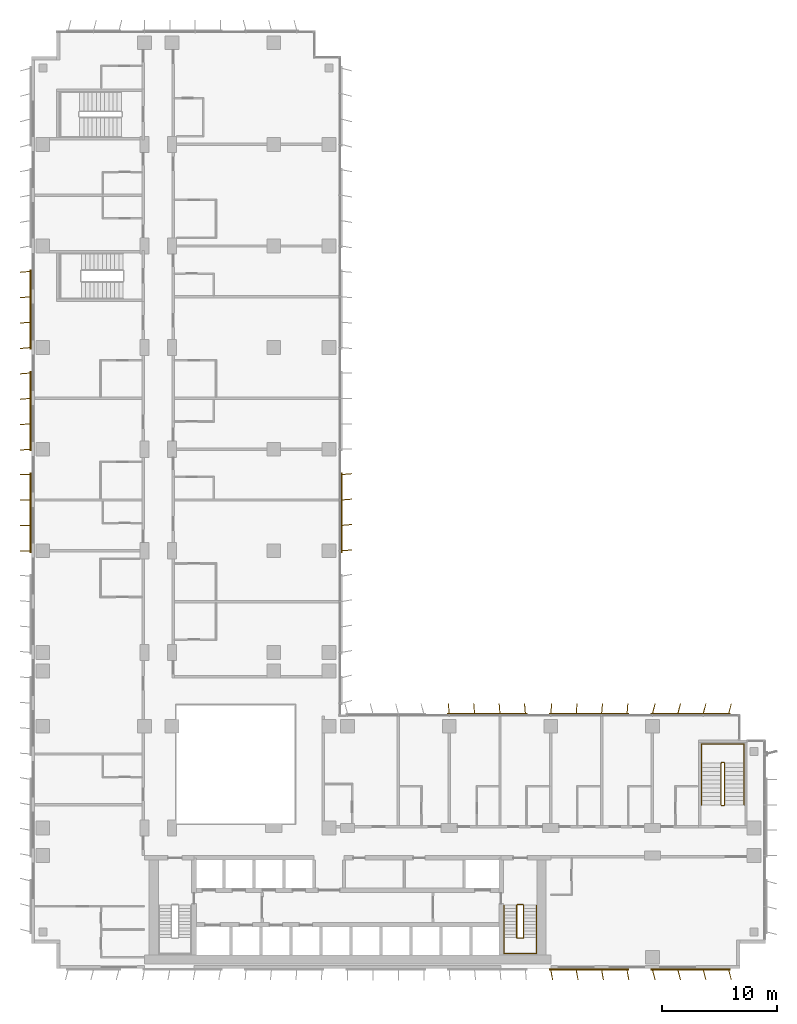
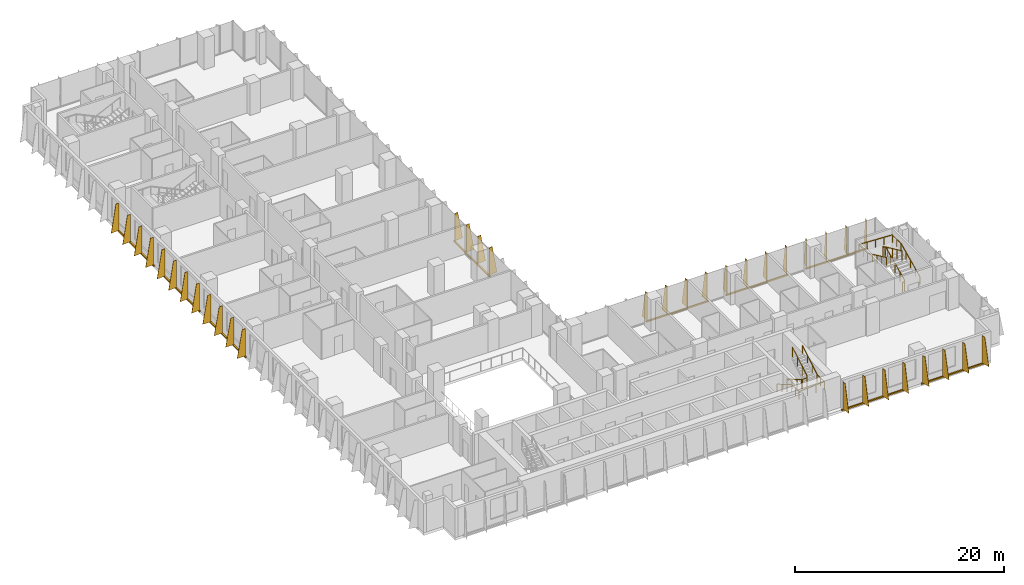
# One storey, part 20 of 22: 9 shading devices, 4 railings.
"""IFC4 building model written with IfcOpenShell, lengths in metres."""

from ifc_helpers import new_model, si_unit, direction, frame, origin, origin_2d, place, context, subcontext, project, spatial, polyline, rectangle, circle, outline, extrude, source, transform, mapped, material, layer, layer_set, type_object, element, save


model = new_model("IFC4")

# Units and contexts
model_context = context("Model", 3, precision=1e-05, world=origin(), true_north=direction((0.0, 1.0)))
body_context = subcontext(model_context, "Body", "Model", "MODEL_VIEW")
ifc_project = project(units=[si_unit("LENGTHUNIT", "METRE"), si_unit("AREAUNIT", "SQUARE_METRE"), si_unit("VOLUMEUNIT", "CUBIC_METRE"), si_unit("PLANEANGLEUNIT", "RADIAN"), si_unit("MASSUNIT", "GRAM", prefix="KILO")], contexts=[model_context])

# Site, building, storey
site_placement = place(None, origin())
site = spatial("IfcSite", under=ifc_project, at=site_placement, CompositionType="ELEMENT")
building_placement = place(site_placement, origin())
building = spatial("IfcBuilding", under=site, at=building_placement, Name="Kemantara Hotel Tower", CompositionType="ELEMENT")
storey_placement = place(building_placement, frame((0.0, 0.0, 107.39990234375)))
storey = spatial("IfcBuildingStorey", under=building, at=storey_placement, Name="L25", CompositionType="ELEMENT", Elevation=107.39990234375)

# Railings
ifc_material_1 = material(Name="Stainless steel balustrade", Category="steel")
railing_type_1 = type_object("IfcRailingType", Name="Stair guard 1100 mm", PredefinedType="GUARDRAIL", material=ifc_material_1)
railing_1_placement = place(storey_placement, frame((42.64990234375, 5.5, 3.7001953125)))
element("IfcRailing", 1, at=railing_1_placement, inside=storey, type_object=railing_type_1, Name="L25 ST2 stair guard 1", PredefinedType="GUARDRAIL", context=body_context, shape_type="SweptSolid", body=[
    extrude(circle(Radius=0.02392578125, at=origin_2d()), frame((0.0, 0.0, 1.076171875), z_axis=(0.0, -0.857242210791, -0.514913383045), x_axis=(1.0, 0.0, 0.0)), (0.0, 0.0, 1.0), 3.266357421875),
    extrude(circle(Radius=0.02392578125, at=origin_2d()), frame((0.0, -2.800048828125, -0.60595703125), z_axis=(-0.273006030465, -0.27434429532, -0.922064485248), x_axis=(0.708833529934, -0.705375805398, 0.0)), (0.0, 0.0, 1.0), 0.182373046875),
    extrude(circle(Radius=0.02392578125, at=origin_2d()), frame((-0.0498046875, -2.85009765625, -0.77392578125), z_axis=(-1.0, 0.0, 0.0), x_axis=(0.0, -1.0, 0.0)), (0.0, 0.0, 1.0), 0.5),
    extrude(circle(Radius=0.02392578125, at=origin_2d()), frame((-0.5498046875, -2.85009765625, -0.77392578125), z_axis=(-0.707106781187, 0.707106781187, 0.0), x_axis=(-0.707106781187, -0.707106781187, 0.0)), (0.0, 0.0, 1.0), 0.07080078125),
    extrude(circle(Radius=0.02392578125, at=origin_2d()), frame((-0.599853515625, -2.800048828125, -0.77392578125), z_axis=(0.0, 0.857242210791, -0.514913383045), x_axis=(-1.0, 0.0, 0.0)), (0.0, 0.0, 1.0), 3.266357421875),
    extrude(circle(Radius=0.02392578125, at=origin_2d()), frame((-0.599853515625, 0.0, -2.4560546875), z_axis=(0.274243871929, 0.274243871929, -0.92172696468), x_axis=(-0.707106781187, 0.707106781187, 0.0)), (0.0, 0.0, 1.0), 0.1826171875),
    extrude(circle(Radius=0.02392578125, at=origin_2d()), frame((-0.5498046875, 0.050048828125, -2.6240234375), z_axis=(1.0, 0.0, 0.0), x_axis=(0.0, 1.0, 0.0)), (0.0, 0.0, 1.0), 0.5),
    extrude(circle(Radius=0.02099609375, at=origin_2d()), origin(), (0.0, 0.0, 1.0), 1.052001953125),
    extrude(circle(Radius=0.02099609375, at=origin_2d()), frame((0.0, -0.933349609375, -0.560546875)), (0.0, 0.0, 1.0), 1.052001953125),
    extrude(circle(Radius=0.02099609375, at=origin_2d()), frame((0.0, -1.86669921875, -1.121337890625)), (0.0, 0.0, 1.0), 1.052001953125),
    extrude(circle(Radius=0.02099609375, at=origin_2d()), frame((0.0, -2.800048828125, -1.681884765625)), (0.0, 0.0, 1.0), 1.052001953125),
    extrude(circle(Radius=0.02099609375, at=origin_2d()), frame((-0.0498046875, -2.85009765625, -1.85009765625)), (0.0, 0.0, 1.0), 1.052001953125),
    extrude(circle(Radius=0.02099609375, at=origin_2d()), frame((-0.5498046875, -2.85009765625, -1.85009765625)), (0.0, 0.0, 1.0), 1.052001953125),
    extrude(circle(Radius=0.02099609375, at=origin_2d()), frame((-0.599853515625, -2.800048828125, -1.85009765625)), (0.0, 0.0, 1.0), 1.052001953125),
    extrude(circle(Radius=0.02099609375, at=origin_2d()), frame((-0.599853515625, -1.86669921875, -2.41064453125)), (0.0, 0.0, 1.0), 1.052001953125),
    extrude(circle(Radius=0.02099609375, at=origin_2d()), frame((-0.599853515625, -0.933349609375, -2.971435546875)), (0.0, 0.0, 1.0), 1.052001953125),
    extrude(circle(Radius=0.02099609375, at=origin_2d()), frame((-0.599853515625, 0.0, -3.531982421875)), (0.0, 0.0, 1.0), 1.052001953125),
    extrude(circle(Radius=0.02099609375, at=origin_2d()), frame((-0.5498046875, 0.050048828125, -3.7001953125)), (0.0, 0.0, 1.0), 1.052001953125),
    extrude(circle(Radius=0.02099609375, at=origin_2d()), frame((-0.0498046875, 0.050048828125, -3.7001953125)), (0.0, 0.0, 1.0), 1.052001953125),
])
railing_2_placement = place(storey_placement, frame((59.75, 14.199951171875, 3.7001953125)))
element("IfcRailing", 2, at=railing_2_placement, inside=storey, type_object=railing_type_1, Name="L25 ST3 stair guard 1", PredefinedType="GUARDRAIL", context=body_context, shape_type="SweptSolid", body=[
    extrude(circle(Radius=0.02392578125, at=origin_2d()), frame((0.0, 0.0, 1.076171875), z_axis=(0.0, 0.906005689286, -0.423265508849), x_axis=(-1.0, 0.0, 0.0)), (0.0, 0.0, 1.0), 3.9736328125),
    extrude(circle(Radius=0.02392578125, at=origin_2d()), frame((0.0, 3.60009765625, -0.60595703125), z_axis=(0.274243871929, 0.274243871929, -0.92172696468), x_axis=(-0.707106781187, 0.707106781187, 0.0)), (0.0, 0.0, 1.0), 0.1826171875),
    extrude(circle(Radius=0.02392578125, at=origin_2d()), frame((0.050048828125, 3.650146484375, -0.77392578125), z_axis=(1.0, 0.0, 0.0), x_axis=(0.0, 1.0, 0.0)), (0.0, 0.0, 1.0), 0.199951171875),
    extrude(circle(Radius=0.02392578125, at=origin_2d()), frame((0.25, 3.650146484375, -0.77392578125), z_axis=(0.707106781187, -0.707106781187, 0.0), x_axis=(0.707106781187, 0.707106781187, 0.0)), (0.0, 0.0, 1.0), 0.07080078125),
    extrude(circle(Radius=0.02392578125, at=origin_2d()), frame((0.300048828125, 3.60009765625, -0.77392578125), z_axis=(0.0, -0.906005689286, -0.423265508849), x_axis=(1.0, 0.0, 0.0)), (0.0, 0.0, 1.0), 3.9736328125),
    extrude(circle(Radius=0.02392578125, at=origin_2d()), frame((0.300048828125, 0.0, -2.4560546875), z_axis=(-0.274243871929, -0.274243871929, -0.92172696468), x_axis=(0.707106781187, -0.707106781187, 0.0)), (0.0, 0.0, 1.0), 0.1826171875),
    extrude(circle(Radius=0.02392578125, at=origin_2d()), frame((0.25, -0.050048828125, -2.6240234375), z_axis=(-1.0, 0.0, 0.0), x_axis=(0.0, -1.0, 0.0)), (0.0, 0.0, 1.0), 0.199951171875),
    extrude(circle(Radius=0.02099609375, at=origin_2d()), origin(), (0.0, 0.0, 1.0), 1.052001953125),
    extrude(circle(Radius=0.02099609375, at=origin_2d()), frame((0.0, 0.89990234375, -0.42041015625)), (0.0, 0.0, 1.0), 1.052001953125),
    extrude(circle(Radius=0.02099609375, at=origin_2d()), frame((0.0, 1.800048828125, -0.8408203125)), (0.0, 0.0, 1.0), 1.052001953125),
    extrude(circle(Radius=0.02099609375, at=origin_2d()), frame((0.0, 2.7001953125, -1.261474609375)), (0.0, 0.0, 1.0), 1.052001953125),
    extrude(circle(Radius=0.02099609375, at=origin_2d()), frame((0.0, 3.60009765625, -1.681884765625)), (0.0, 0.0, 1.0), 1.052001953125),
    extrude(circle(Radius=0.02099609375, at=origin_2d()), frame((0.050048828125, 3.650146484375, -1.85009765625)), (0.0, 0.0, 1.0), 1.052001953125),
    extrude(circle(Radius=0.02099609375, at=origin_2d()), frame((0.25, 3.650146484375, -1.85009765625)), (0.0, 0.0, 1.0), 1.052001953125),
    extrude(circle(Radius=0.02099609375, at=origin_2d()), frame((0.300048828125, 3.60009765625, -1.85009765625)), (0.0, 0.0, 1.0), 1.052001953125),
    extrude(circle(Radius=0.02099609375, at=origin_2d()), frame((0.300048828125, 2.7001953125, -2.2705078125)), (0.0, 0.0, 1.0), 1.052001953125),
    extrude(circle(Radius=0.02099609375, at=origin_2d()), frame((0.300048828125, 1.800048828125, -2.69091796875)), (0.0, 0.0, 1.0), 1.052001953125),
    extrude(circle(Radius=0.02099609375, at=origin_2d()), frame((0.300048828125, 0.89990234375, -3.111572265625)), (0.0, 0.0, 1.0), 1.052001953125),
    extrude(circle(Radius=0.02099609375, at=origin_2d()), frame((0.300048828125, 0.0, -3.531982421875)), (0.0, 0.0, 1.0), 1.052001953125),
    extrude(circle(Radius=0.02099609375, at=origin_2d()), frame((0.25, -0.050048828125, -3.7001953125)), (0.0, 0.0, 1.0), 1.052001953125),
    extrude(circle(Radius=0.02099609375, at=origin_2d()), frame((0.050048828125, -0.050048828125, -3.7001953125)), (0.0, 0.0, 1.0), 1.052001953125),
])
railing_type_2 = type_object("IfcRailingType", Name="Stair handrail 900 mm", PredefinedType="HANDRAIL", material=ifc_material_1)
railing_3_placement = place(storey_placement, frame((40.949951171875, 5.5, 0.168212890625)))
element("IfcRailing", 3, at=railing_3_placement, inside=storey, type_object=railing_type_2, Name="L25 ST2 stair handrail 1", PredefinedType="HANDRAIL", context=body_context, shape_type="SweptSolid", body=[
    extrude(circle(Radius=0.02392578125, at=origin_2d()), frame((0.0, 0.0, 0.8759765625), z_axis=(0.0, -0.857242210791, 0.514913383045), x_axis=(1.0, 0.0, 0.0)), (0.0, 0.0, 1.0), 3.266357421875),
    extrude(circle(Radius=0.02392578125, at=origin_2d()), frame((0.0, -2.800048828125, 2.5576171875), z_axis=(0.0, -1.0, 0.0), x_axis=(1.0, 0.0, 0.0)), (0.0, 0.0, 1.0), 1.3798828125),
    extrude(circle(Radius=0.02392578125, at=origin_2d()), frame((0.0, -4.179931640625, 2.5576171875), z_axis=(0.998200367801, 0.0, 0.059966871865), x_axis=(0.0, 1.0, 0.0)), (0.0, 0.0, 1.0), 2.80517578125),
    extrude(circle(Radius=0.02392578125, at=origin_2d()), frame((2.800048828125, -4.179931640625, 2.72607421875), z_axis=(0.0, 1.0, 0.0), x_axis=(-1.0, 0.0, 0.0)), (0.0, 0.0, 1.0), 1.3798828125),
    extrude(circle(Radius=0.02392578125, at=origin_2d()), frame((2.800048828125, -2.800048828125, 2.72607421875), z_axis=(0.0, 0.857242210791, 0.514913383045), x_axis=(-1.0, 0.0, 0.0)), (0.0, 0.0, 1.0), 3.266357421875),
    extrude(circle(Radius=0.02099609375, at=origin_2d()), origin(), (0.0, 0.0, 1.0), 0.851806640625),
    extrude(circle(Radius=0.02099609375, at=origin_2d()), frame((0.0, -0.933349609375, 0.560546875)), (0.0, 0.0, 1.0), 0.851806640625),
    extrude(circle(Radius=0.02099609375, at=origin_2d()), frame((0.0, -1.86669921875, 1.121337890625)), (0.0, 0.0, 1.0), 0.851806640625),
    extrude(circle(Radius=0.02099609375, at=origin_2d()), frame((0.0, -2.800048828125, 1.681884765625)), (0.0, 0.0, 1.0), 0.851806640625),
    extrude(circle(Radius=0.02099609375, at=origin_2d()), frame((0.0, -3.489990234375, 1.681884765625)), (0.0, 0.0, 1.0), 0.851806640625),
    extrude(circle(Radius=0.02099609375, at=origin_2d()), frame((0.0, -4.179931640625, 1.681884765625)), (0.0, 0.0, 1.0), 0.851806640625),
    extrude(circle(Radius=0.02099609375, at=origin_2d()), frame((0.933349609375, -4.179931640625, 1.738037109375)), (0.0, 0.0, 1.0), 0.851806640625),
    extrude(circle(Radius=0.02099609375, at=origin_2d()), frame((1.86669921875, -4.179931640625, 1.7939453125)), (0.0, 0.0, 1.0), 0.851806640625),
    extrude(circle(Radius=0.02099609375, at=origin_2d()), frame((2.800048828125, -4.179931640625, 1.85009765625)), (0.0, 0.0, 1.0), 0.851806640625),
    extrude(circle(Radius=0.02099609375, at=origin_2d()), frame((2.800048828125, -3.489990234375, 1.85009765625)), (0.0, 0.0, 1.0), 0.851806640625),
    extrude(circle(Radius=0.02099609375, at=origin_2d()), frame((2.800048828125, -2.800048828125, 1.85009765625)), (0.0, 0.0, 1.0), 0.851806640625),
    extrude(circle(Radius=0.02099609375, at=origin_2d()), frame((2.800048828125, -1.86669921875, 2.41064453125)), (0.0, 0.0, 1.0), 0.851806640625),
    extrude(circle(Radius=0.02099609375, at=origin_2d()), frame((2.800048828125, -0.933349609375, 2.971435546875)), (0.0, 0.0, 1.0), 0.851806640625),
    extrude(circle(Radius=0.02099609375, at=origin_2d()), frame((2.800048828125, 0.0, 3.531982421875)), (0.0, 0.0, 1.0), 0.851806640625),
])
railing_4_placement = place(storey_placement, frame((61.75, 14.199951171875, 0.168212890625)))
element("IfcRailing", 4, at=railing_4_placement, inside=storey, type_object=railing_type_2, Name="L25 ST3 stair handrail 1", PredefinedType="HANDRAIL", context=body_context, shape_type="SweptSolid", body=[
    extrude(circle(Radius=0.02392578125, at=origin_2d()), frame((0.0, 0.0, 0.8759765625), z_axis=(0.0, 0.906005689286, 0.423265508849), x_axis=(-1.0, 0.0, 0.0)), (0.0, 0.0, 1.0), 3.9736328125),
    extrude(circle(Radius=0.02392578125, at=origin_2d()), frame((0.0, 3.60009765625, 2.5576171875), z_axis=(0.0, 1.0, 0.0), x_axis=(-1.0, 0.0, 0.0)), (0.0, 0.0, 1.0), 1.679931640625),
    extrude(circle(Radius=0.02392578125, at=origin_2d()), frame((0.0, 5.280029296875, 2.5576171875), z_axis=(-0.998968132438, 0.0, 0.045416631029), x_axis=(0.0, -1.0, 0.0)), (0.0, 0.0, 1.0), 3.703857421875),
    extrude(circle(Radius=0.02392578125, at=origin_2d()), frame((-3.699951171875, 5.280029296875, 2.72607421875), z_axis=(0.0, -1.0, 0.0), x_axis=(1.0, 0.0, 0.0)), (0.0, 0.0, 1.0), 1.679931640625),
    extrude(circle(Radius=0.02392578125, at=origin_2d()), frame((-3.699951171875, 3.60009765625, 2.72607421875), z_axis=(0.0, -0.906005689286, 0.423265508849), x_axis=(1.0, 0.0, 0.0)), (0.0, 0.0, 1.0), 3.9736328125),
    extrude(circle(Radius=0.02099609375, at=origin_2d()), origin(), (0.0, 0.0, 1.0), 0.851806640625),
    extrude(circle(Radius=0.02099609375, at=origin_2d()), frame((0.0, 0.89990234375, 0.42041015625)), (0.0, 0.0, 1.0), 0.851806640625),
    extrude(circle(Radius=0.02099609375, at=origin_2d()), frame((0.0, 1.800048828125, 0.8408203125)), (0.0, 0.0, 1.0), 0.851806640625),
    extrude(circle(Radius=0.02099609375, at=origin_2d()), frame((0.0, 2.7001953125, 1.261474609375)), (0.0, 0.0, 1.0), 0.851806640625),
    extrude(circle(Radius=0.02099609375, at=origin_2d()), frame((0.0, 3.60009765625, 1.681884765625)), (0.0, 0.0, 1.0), 0.851806640625),
    extrude(circle(Radius=0.02099609375, at=origin_2d()), frame((0.0, 4.43994140625, 1.681884765625)), (0.0, 0.0, 1.0), 0.851806640625),
    extrude(circle(Radius=0.02099609375, at=origin_2d()), frame((0.0, 5.280029296875, 1.681884765625)), (0.0, 0.0, 1.0), 0.851806640625),
    extrude(circle(Radius=0.02099609375, at=origin_2d()), frame((-0.925048828125, 5.280029296875, 1.723876953125)), (0.0, 0.0, 1.0), 0.851806640625),
    extrude(circle(Radius=0.02099609375, at=origin_2d()), frame((-1.85009765625, 5.280029296875, 1.76611328125)), (0.0, 0.0, 1.0), 0.851806640625),
    extrude(circle(Radius=0.02099609375, at=origin_2d()), frame((-2.77490234375, 5.280029296875, 1.80810546875)), (0.0, 0.0, 1.0), 0.851806640625),
    extrude(circle(Radius=0.02099609375, at=origin_2d()), frame((-3.699951171875, 5.280029296875, 1.85009765625)), (0.0, 0.0, 1.0), 0.851806640625),
    extrude(circle(Radius=0.02099609375, at=origin_2d()), frame((-3.699951171875, 4.43994140625, 1.85009765625)), (0.0, 0.0, 1.0), 0.851806640625),
    extrude(circle(Radius=0.02099609375, at=origin_2d()), frame((-3.699951171875, 3.60009765625, 1.85009765625)), (0.0, 0.0, 1.0), 0.851806640625),
    extrude(circle(Radius=0.02099609375, at=origin_2d()), frame((-3.699951171875, 2.7001953125, 2.2705078125)), (0.0, 0.0, 1.0), 0.851806640625),
    extrude(circle(Radius=0.02099609375, at=origin_2d()), frame((-3.699951171875, 1.800048828125, 2.69091796875)), (0.0, 0.0, 1.0), 0.851806640625),
    extrude(circle(Radius=0.02099609375, at=origin_2d()), frame((-3.699951171875, 0.89990234375, 3.111572265625)), (0.0, 0.0, 1.0), 0.851806640625),
    extrude(circle(Radius=0.02099609375, at=origin_2d()), frame((-3.699951171875, 0.0, 3.531982421875)), (0.0, 0.0, 1.0), 0.851806640625),
])

# Shading devices
ifc_material_2 = material(Name="Perforated aluminium plate 4 mm bronze anodised", Category="aluminium")
ifc_layer_1 = layer(ifc_material_2, 0.0400390625)
ifc_layer_set_1 = layer_set([ifc_layer_1], Name="Perforated aluminium plate 4 mm bronze anodised")
shading_device_type_1 = type_object("IfcShadingDeviceType", Name="SCREEN FIN CASSETTE, 4 BLADES AT -5.0 DEG, 3200 HIGH", PredefinedType="USERDEFINED", material=ifc_layer_set_1)
shared_shape_1 = source(origin(), body_context, "Body", "SweptSolid", [
    extrude(rectangle(XDim=6.89990234375, YDim=0.14990234375, at=origin_2d()), frame((3.300048828125, -0.074951171875, -0.14990234375), z_axis=(0.0, 0.0, 1.0), x_axis=(1.0, 0.0, 0.0)), (0.0, 0.0, 1.0), 0.14990234375),
    extrude(outline(polyline([(0.0, 0.0), (0.89990234375, 0.0), (0.35009765625, 3.199951171875), (0.0, 3.199951171875), (0.0, 0.0)])), frame((0.02001953125, -0.07666015625, 0.0), z_axis=(-0.996376129781, 0.085056498884, 0.0), x_axis=(-0.085056498884, -0.996376129781, 0.0)), (0.0, 0.0, 1.0), 0.040283203125),
    extrude(outline(polyline([(0.0, 0.0), (0.89990234375, 0.0), (0.35009765625, 3.199951171875), (0.0, 3.199951171875), (0.0, 0.0)])), frame((2.219970703125, -0.07666015625, 0.0), z_axis=(-0.996331773833, 0.085574508182, 0.0), x_axis=(-0.085574508182, -0.996331773833, 0.0)), (0.0, 0.0, 1.0), 0.0400390625),
    extrude(outline(polyline([(0.0, 0.0), (0.89990234375, 0.0), (0.35009765625, 3.199951171875), (0.0, 3.199951171875), (0.0, 0.0)])), frame((4.419921875, -0.07666015625, 0.0), z_axis=(-0.996331773833, 0.085574508182, 0.0), x_axis=(-0.085574508182, -0.996331773833, 0.0)), (0.0, 0.0, 1.0), 0.0400390625),
    extrude(outline(polyline([(0.0, 0.0), (0.89990234375, 0.0), (0.35009765625, 3.199951171875), (0.0, 3.199951171875), (0.0, 0.0)])), frame((6.619873046875, -0.07666015625, 0.0), z_axis=(-0.996331773833, 0.085574508182, 0.0), x_axis=(-0.085574508182, -0.996331773833, 0.0)), (0.0, 0.0, 1.0), 0.0400390625),
])
shading_device_1_placement = place(storey_placement, frame((51.60009765625, 22.0, 0.10009765625), z_axis=(0.0, 0.0, 1.0), x_axis=(-1.0, 0.0, 0.0)))
element("IfcShadingDevice", 5, at=shading_device_1_placement, inside=storey, type_object=shading_device_type_1, Name="SCREEN FIN CASSETTE L25 T2-R13-2", ObjectType="SCREEN FIN", PredefinedType="USERDEFINED", context=body_context, shape_type="MappedRepresentation", body=[
    mapped(shared_shape_1, transform((0.0, 0.0, 0.0))),
])
ifc_layer_2 = layer(ifc_material_2, 0.0400390625)
ifc_layer_set_2 = layer_set([ifc_layer_2], Name="Perforated aluminium plate 4 mm bronze anodised")
shading_device_type_2 = type_object("IfcShadingDeviceType", Name="SCREEN FIN CASSETTE, 4 BLADES AT +0.0 DEG, 3200 HIGH", PredefinedType="USERDEFINED", material=ifc_layer_set_2)
shared_shape_2 = source(origin(), body_context, "Body", "SweptSolid", [
    extrude(rectangle(XDim=6.89990234375, YDim=0.14990234375, at=origin_2d()), frame((3.300048828125, -0.074951171875, -0.14990234375), z_axis=(0.0, 0.0, 1.0), x_axis=(1.0, 0.0, 0.0)), (0.0, 0.0, 1.0), 0.14990234375),
    extrude(outline(polyline([(0.0, 0.0), (0.89990234375, 0.0), (0.35009765625, 3.199951171875), (0.0, 3.199951171875), (0.0, 0.0)])), frame((0.02001953125, -0.074951171875, 0.0), z_axis=(-1.0, 0.0, 0.0), x_axis=(0.0, -1.0, 0.0)), (0.0, 0.0, 1.0), 0.0400390625),
    extrude(outline(polyline([(0.0, 0.0), (0.89990234375, 0.0), (0.35009765625, 3.199951171875), (0.0, 3.199951171875), (0.0, 0.0)])), frame((2.219970703125, -0.074951171875, 0.0), z_axis=(-1.0, 0.0, 0.0), x_axis=(0.0, -1.0, 0.0)), (0.0, 0.0, 1.0), 0.0400390625),
    extrude(outline(polyline([(0.0, 0.0), (0.89990234375, 0.0), (0.35009765625, 3.199951171875), (0.0, 3.199951171875), (0.0, 0.0)])), frame((4.419921875, -0.074951171875, 0.0), z_axis=(-1.0, 0.0, 0.0), x_axis=(0.0, -1.0, 0.0)), (0.0, 0.0, 1.0), 0.0400390625),
    extrude(outline(polyline([(0.0, 0.0), (0.89990234375, 0.0), (0.35009765625, 3.199951171875), (0.0, 3.199951171875), (0.0, 0.0)])), frame((6.6201171875, -0.074951171875, 0.0), z_axis=(-1.0, 0.0, 0.0), x_axis=(0.0, -1.0, 0.0)), (0.0, 0.0, 1.0), 0.0400390625),
])
shading_device_2_placement = place(storey_placement, frame((0.0, 42.800048828125, 0.10009765625), z_axis=(0.0, 0.0, 1.0), x_axis=(0.0, -1.0, 0.0)))
element("IfcShadingDevice", 6, at=shading_device_2_placement, inside=storey, type_object=shading_device_type_2, Name="SCREEN FIN CASSETTE L25 T2-R04-5", ObjectType="SCREEN FIN", PredefinedType="USERDEFINED", context=body_context, shape_type="MappedRepresentation", body=[
    mapped(shared_shape_2, transform((0.0, 0.0, 0.0))),
])
ifc_layer_3 = layer(ifc_material_2, 0.0400390625)
ifc_layer_set_3 = layer_set([ifc_layer_3], Name="Perforated aluminium plate 4 mm bronze anodised")
shading_device_type_3 = type_object("IfcShadingDeviceType", Name="SCREEN FIN CASSETTE, 4 BLADES AT +5.0 DEG, 3200 HIGH", PredefinedType="USERDEFINED", material=ifc_layer_set_3)
shared_shape_3 = source(origin(), body_context, "Body", "SweptSolid", [
    extrude(rectangle(XDim=6.89990234375, YDim=0.14990234375, at=origin_2d()), frame((3.300048828125, -0.074951171875, -0.14990234375), z_axis=(0.0, 0.0, 1.0), x_axis=(1.0, 0.0, 0.0)), (0.0, 0.0, 1.0), 0.14990234375),
    extrude(outline(polyline([(0.0, 0.0), (0.89990234375, 0.0), (0.35009765625, 3.199951171875), (0.0, 3.199951171875), (0.0, 0.0)])), frame((0.02001953125, -0.0732421875, 0.0), z_axis=(-0.996376129781, -0.085056498884, 0.0), x_axis=(0.085056498884, -0.996376129781, 0.0)), (0.0, 0.0, 1.0), 0.040283203125),
    extrude(outline(polyline([(0.0, 0.0), (0.89990234375, 0.0), (0.35009765625, 3.199951171875), (0.0, 3.199951171875), (0.0, 0.0)])), frame((2.219970703125, -0.0732421875, 0.0), z_axis=(-0.996331773833, -0.085574508182, 0.0), x_axis=(0.085574508182, -0.996331773833, 0.0)), (0.0, 0.0, 1.0), 0.0400390625),
    extrude(outline(polyline([(0.0, 0.0), (0.89990234375, 0.0), (0.35009765625, 3.199951171875), (0.0, 3.199951171875), (0.0, 0.0)])), frame((4.419921875, -0.0732421875, 0.0), z_axis=(-0.996331773833, -0.085574508182, 0.0), x_axis=(0.085574508182, -0.996331773833, 0.0)), (0.0, 0.0, 1.0), 0.0400390625),
    extrude(outline(polyline([(0.0, 0.0), (0.89990234375, 0.0), (0.35009765625, 3.199951171875), (0.0, 3.199951171875), (0.0, 0.0)])), frame((6.619873046875, -0.0732421875, 0.0), z_axis=(-0.996331773833, -0.085574508182, 0.0), x_axis=(0.085574508182, -0.996331773833, 0.0)), (0.0, 0.0, 1.0), 0.0400390625),
])
for number, where, z_axis, x_axis, name in (
    (7, (0.0, 60.39990234375, 0.10009765625), (0.0, 0.0, 1.0), (0.0, -1.0, 0.0), "SCREEN FIN CASSETTE L25 T2-R04-3"),
    (8, (0.0, 51.60009765625, 0.10009765625), (0.0, 0.0, 1.0), (0.0, -1.0, 0.0), "SCREEN FIN CASSETTE L25 T2-R04-4"),
    (9, (42.800048828125, 22.0, 0.10009765625), (0.0, 0.0, 1.0), (-1.0, 0.0, 0.0), "SCREEN FIN CASSETTE L25 T2-R13-3"),
    (10, (26.800048828125, 36.199951171875, 0.10009765625), (0.0, 0.0, 1.0), (0.0, 1.0, 0.0), "SCREEN FIN CASSETTE L25 T2-R14-3"),
):
    element("IfcShadingDevice", number, at=place(storey_placement, frame(where, z_axis=z_axis, x_axis=x_axis)), inside=storey, type_object=shading_device_type_3, Name=name, ObjectType="SCREEN FIN", PredefinedType="USERDEFINED", context=body_context, shape_type="MappedRepresentation", body=[
        mapped(shared_shape_3, transform((0.0, 0.0, 0.0))),
    ])
ifc_layer_4 = layer(ifc_material_2, 0.0400390625)
ifc_layer_set_4 = layer_set([ifc_layer_4], Name="Perforated aluminium plate 4 mm bronze anodised")
shading_device_type_4 = type_object("IfcShadingDeviceType", Name="SCREEN FIN CASSETTE, 4 BLADES AT +10.0 DEG, 3200 HIGH", PredefinedType="USERDEFINED", material=ifc_layer_set_4)
shared_shape_4 = source(origin(), body_context, "Body", "SweptSolid", [
    extrude(rectangle(XDim=6.89990234375, YDim=0.14990234375, at=origin_2d()), frame((3.300048828125, -0.074951171875, -0.14990234375), z_axis=(0.0, 0.0, 1.0), x_axis=(1.0, 0.0, 0.0)), (0.0, 0.0, 1.0), 0.14990234375),
    extrude(outline(polyline([(0.0, 0.0), (0.89990234375, 0.0), (0.35009765625, 3.199951171875), (0.0, 3.199951171875), (0.0, 0.0)])), frame((0.019775390625, -0.071533203125, 0.0), z_axis=(-0.985389793052, -0.170314285219, 0.0), x_axis=(0.170314285219, -0.985389793052, 0.0)), (0.0, 0.0, 1.0), 0.0400390625),
    extrude(outline(polyline([(0.0, 0.0), (0.89990234375, 0.0), (0.35009765625, 3.199951171875), (0.0, 3.199951171875), (0.0, 0.0)])), frame((2.2197265625, -0.071533203125, 0.0), z_axis=(-0.98521175482, -0.171341174751, 0.0), x_axis=(0.171341174751, -0.98521175482, 0.0)), (0.0, 0.0, 1.0), 0.039794921875),
    extrude(outline(polyline([(0.0, 0.0), (0.89990234375, 0.0), (0.35009765625, 3.199951171875), (0.0, 3.199951171875), (0.0, 0.0)])), frame((4.419677734375, -0.071533203125, 0.0), z_axis=(-0.98521175482, -0.171341174751, 0.0), x_axis=(0.171341174751, -0.98521175482, 0.0)), (0.0, 0.0, 1.0), 0.039794921875),
    extrude(outline(polyline([(0.0, 0.0), (0.89990234375, 0.0), (0.35009765625, 3.199951171875), (0.0, 3.199951171875), (0.0, 0.0)])), frame((6.61962890625, -0.071533203125, 0.0), z_axis=(-0.98521175482, -0.171341174751, 0.0), x_axis=(0.171341174751, -0.98521175482, 0.0)), (0.0, 0.0, 1.0), 0.039794921875),
])
shading_device_3_placement = place(storey_placement, frame((45.0, 0.0, 0.10009765625), z_axis=(0.0, 0.0, 1.0), x_axis=(1.0, 0.0, 0.0)))
element("IfcShadingDevice", 11, at=shading_device_3_placement, inside=storey, type_object=shading_device_type_4, Name="SCREEN FIN CASSETTE L25 T2-R07-6", ObjectType="SCREEN FIN", PredefinedType="USERDEFINED", context=body_context, shape_type="MappedRepresentation", body=[
    mapped(shared_shape_4, transform((0.0, 0.0, 0.0))),
])
ifc_layer_5 = layer(ifc_material_2, 0.0400390625)
ifc_layer_set_5 = layer_set([ifc_layer_5], Name="Perforated aluminium plate 4 mm bronze anodised")
shading_device_type_5 = type_object("IfcShadingDeviceType", Name="SCREEN FIN CASSETTE, 4 BLADES AT +15.0 DEG, 3200 HIGH", PredefinedType="USERDEFINED", material=ifc_layer_set_5)
shared_shape_5 = source(origin(), body_context, "Body", "SweptSolid", [
    extrude(rectangle(XDim=6.89990234375, YDim=0.14990234375, at=origin_2d()), frame((3.300048828125, -0.074951171875, -0.14990234375), z_axis=(0.0, 0.0, 1.0), x_axis=(1.0, 0.0, 0.0)), (0.0, 0.0, 1.0), 0.14990234375),
    extrude(outline(polyline([(0.0, 0.0), (0.89990234375, 0.0), (0.35009765625, 3.199951171875), (0.0, 3.199951171875), (0.0, 0.0)])), frame((0.019287109375, -0.06982421875, 0.0), z_axis=(-0.966437683387, -0.256901156343, 0.0), x_axis=(0.256901156343, -0.966437683387, 0.0)), (0.0, 0.0, 1.0), 0.039794921875),
    extrude(outline(polyline([(0.0, 0.0), (0.89990234375, 0.0), (0.35009765625, 3.199951171875), (0.0, 3.199951171875), (0.0, 0.0)])), frame((2.21923828125, -0.06982421875, 0.0), z_axis=(-0.966437683387, -0.256901156343, 0.0), x_axis=(0.256901156343, -0.966437683387, 0.0)), (0.0, 0.0, 1.0), 0.039794921875),
    extrude(outline(polyline([(0.0, 0.0), (0.89990234375, 0.0), (0.35009765625, 3.199951171875), (0.0, 3.199951171875), (0.0, 0.0)])), frame((4.41943359375, -0.06982421875, 0.0), z_axis=(-0.966837822169, -0.255391122837, 0.0), x_axis=(0.255391122837, -0.966837822169, 0.0)), (0.0, 0.0, 1.0), 0.0400390625),
    extrude(outline(polyline([(0.0, 0.0), (0.89990234375, 0.0), (0.35009765625, 3.199951171875), (0.0, 3.199951171875), (0.0, 0.0)])), frame((6.619384765625, -0.06982421875, 0.0), z_axis=(-0.966837822169, -0.255391122837, 0.0), x_axis=(0.255391122837, -0.966837822169, 0.0)), (0.0, 0.0, 1.0), 0.0400390625),
])
shading_device_4_placement = place(storey_placement, frame((53.800048828125, 0.0, 0.10009765625), z_axis=(0.0, 0.0, 1.0), x_axis=(1.0, 0.0, 0.0)))
element("IfcShadingDevice", 12, at=shading_device_4_placement, inside=storey, type_object=shading_device_type_5, Name="SCREEN FIN CASSETTE L25 T2-R07-7", ObjectType="SCREEN FIN", PredefinedType="USERDEFINED", context=body_context, shape_type="MappedRepresentation", body=[
    mapped(shared_shape_5, transform((0.0, 0.0, 0.0))),
])
ifc_layer_6 = layer(ifc_material_2, 0.0400390625)
ifc_layer_set_6 = layer_set([ifc_layer_6], Name="Perforated aluminium plate 4 mm bronze anodised")
shading_device_type_6 = type_object("IfcShadingDeviceType", Name="SCREEN FIN CASSETTE, 4 BLADES AT -15.0 DEG, 3200 HIGH", PredefinedType="USERDEFINED", material=ifc_layer_set_6)
shared_shape_6 = source(origin(), body_context, "Body", "SweptSolid", [
    extrude(rectangle(XDim=6.89990234375, YDim=0.14990234375, at=origin_2d()), frame((3.300048828125, -0.074951171875, -0.14990234375), z_axis=(0.0, 0.0, 1.0), x_axis=(1.0, 0.0, 0.0)), (0.0, 0.0, 1.0), 0.14990234375),
    extrude(outline(polyline([(0.0, 0.0), (0.89990234375, 0.0), (0.35009765625, 3.199951171875), (0.0, 3.199951171875), (0.0, 0.0)])), frame((0.019287109375, -0.080078125, 0.0), z_axis=(-0.966437683387, 0.256901156343, 0.0), x_axis=(-0.256901156343, -0.966437683387, 0.0)), (0.0, 0.0, 1.0), 0.039794921875),
    extrude(outline(polyline([(0.0, 0.0), (0.89990234375, 0.0), (0.35009765625, 3.199951171875), (0.0, 3.199951171875), (0.0, 0.0)])), frame((2.21923828125, -0.080078125, 0.0), z_axis=(-0.966437683387, 0.256901156343, 0.0), x_axis=(-0.256901156343, -0.966437683387, 0.0)), (0.0, 0.0, 1.0), 0.039794921875),
    extrude(outline(polyline([(0.0, 0.0), (0.89990234375, 0.0), (0.35009765625, 3.199951171875), (0.0, 3.199951171875), (0.0, 0.0)])), frame((4.41943359375, -0.080078125, 0.0), z_axis=(-0.966837822169, 0.255391122837, 0.0), x_axis=(-0.255391122837, -0.966837822169, 0.0)), (0.0, 0.0, 1.0), 0.0400390625),
    extrude(outline(polyline([(0.0, 0.0), (0.89990234375, 0.0), (0.35009765625, 3.199951171875), (0.0, 3.199951171875), (0.0, 0.0)])), frame((6.619384765625, -0.080078125, 0.0), z_axis=(-0.966837822169, 0.255391122837, 0.0), x_axis=(-0.255391122837, -0.966837822169, 0.0)), (0.0, 0.0, 1.0), 0.0400390625),
])
shading_device_5_placement = place(storey_placement, frame((60.39990234375, 22.0, 0.10009765625), z_axis=(0.0, 0.0, 1.0), x_axis=(-1.0, 0.0, 0.0)))
element("IfcShadingDevice", 13, at=shading_device_5_placement, inside=storey, type_object=shading_device_type_6, Name="SCREEN FIN CASSETTE L25 T2-R13-1", ObjectType="SCREEN FIN", PredefinedType="USERDEFINED", context=body_context, shape_type="MappedRepresentation", body=[
    mapped(shared_shape_6, transform((0.0, 0.0, 0.0))),
])

save(model, "model.ifc")
